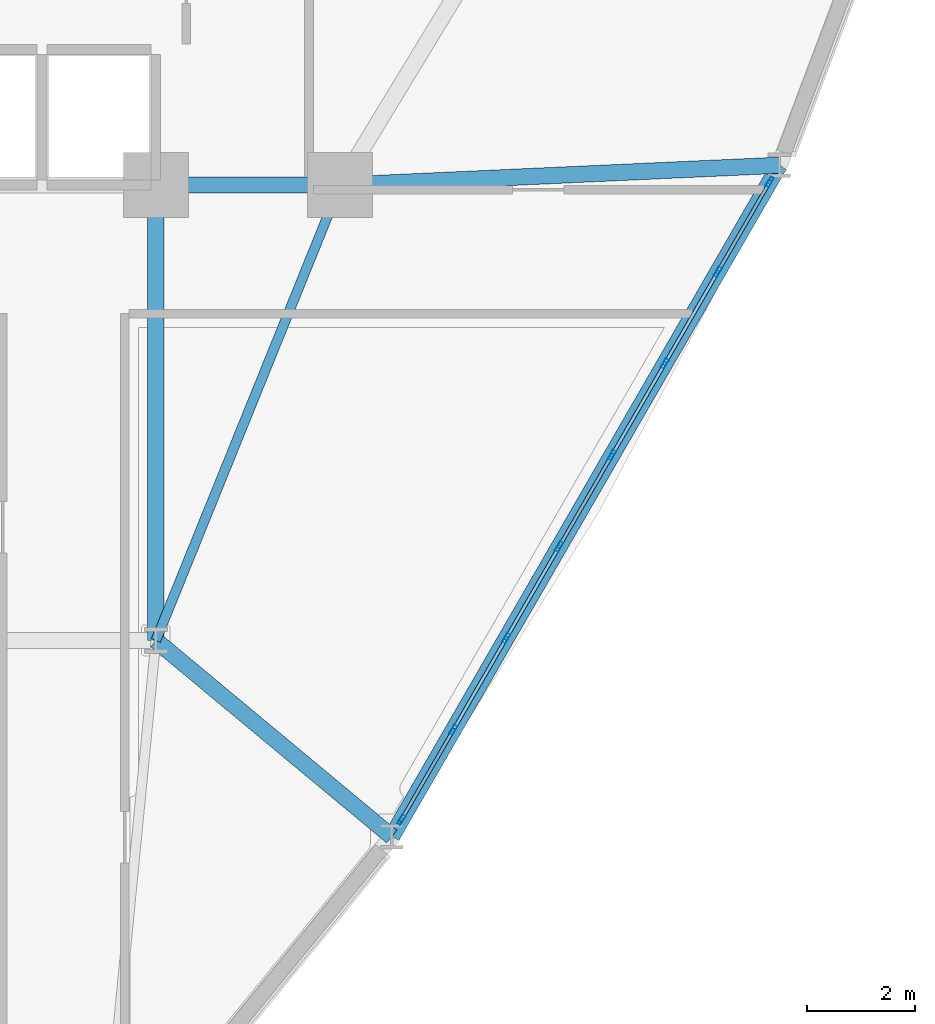
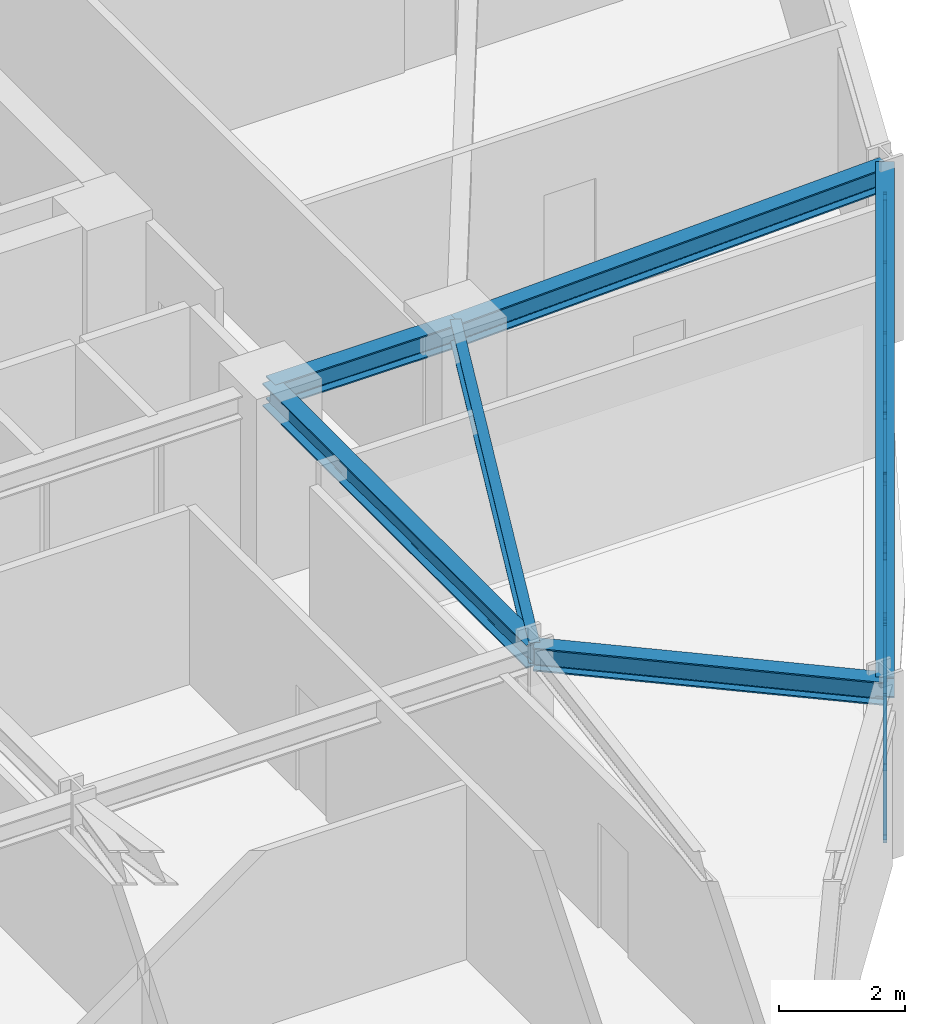
# One storey, part 6 of 17: 25 members, 6 beams, 1 element without a shape of its own.
"""IFC4 building model written with IfcOpenShell, lengths in metres."""

from ifc_helpers import new_model, si_unit, derived_unit, direction, frame, origin, origin_2d, place, context, subcontext, project, spatial, hollow_rectangle, i_section, extrude, source, transform, mapped, material, layer, layer_set, material_profile, profile_set, type_object, element, aggregate, save


model = new_model("IFC4")

# Units and contexts
model_context = context("Model", 3, precision=1e-05, world=origin(), true_north=direction((0.0, 1.0)))
body_context = subcontext(model_context, "Body", "Model", "MODEL_VIEW")
ifc_project = project(units=[si_unit("LENGTHUNIT", "METRE"), si_unit("AREAUNIT", "SQUARE_METRE"), si_unit("VOLUMEUNIT", "CUBIC_METRE"), si_unit("PLANEANGLEUNIT", "RADIAN"), si_unit("MASSUNIT", "GRAM", prefix="KILO"), derived_unit("THERMALTRANSMITTANCEUNIT", [(si_unit("POWERUNIT", "WATT"), 1), (si_unit("LENGTHUNIT", "METRE"), -2), (si_unit("THERMODYNAMICTEMPERATUREUNIT", "KELVIN"), -1)])], contexts=[model_context])

# Site, building, storey
site_placement = place(None, origin())
site = spatial("IfcSite", under=ifc_project, at=site_placement, CompositionType="ELEMENT")
building_placement = place(site_placement, origin())
building = spatial("IfcBuilding", under=site, at=building_placement, Name="Korsvarv Bourse and Concert Hall", CompositionType="ELEMENT")
storey_placement = place(building_placement, frame((0.0, 0.0, 102.60009765625)))
storey = spatial("IfcBuildingStorey", under=building, at=storey_placement, Name="L25", CompositionType="ELEMENT", Elevation=102.60009765625)

# Beams
ifc_material_1 = material(Name="Steel S355", Category="steel")
ifc_material_profile_1 = material_profile(ifc_material_1, i_section(OverallWidth=0.179931640625, OverallDepth=0.39990234375, WebThickness=0.008544921875, FlangeThickness=0.013427734375, FilletRadius=0.02099609375, at=origin_2d()), Name="IPE 400")
ifc_profile_set_1 = profile_set([ifc_material_profile_1], Name="Steel S355")
beam_type_1 = type_object("IfcBeamType", Name="BM-IPE400", PredefinedType="JOIST", material=ifc_profile_set_1)
shared_shape_1 = source(origin(), body_context, "Body", "SweptSolid", [
    extrude(i_section(OverallWidth=0.179931640625, OverallDepth=0.39990234375, WebThickness=0.008544921875, FlangeThickness=0.013427734375, FilletRadius=0.02099609375, at=origin_2d()), origin(), (0.0, 0.0, 1.0), 9.06201171875),
])
beam_1_placement = place(storey_placement, frame((47.800048828125, 32.39990234375, 3.199951171875), z_axis=(-0.375210394783, -0.926939674222, 0.0), x_axis=(0.926939674222, -0.375210394783, 0.0)))
element("IfcBeam", 1, at=beam_1_placement, inside=storey, type_object=beam_type_1, Name="L25 beam J-05", PredefinedType="JOIST", context=body_context, shape_type="MappedRepresentation", body=[
    mapped(shared_shape_1, transform((0.0, 0.0, 0.0), scale=1.0)),
])
ifc_material_profile_2 = material_profile(ifc_material_1, i_section(OverallWidth=0.300048828125, OverallDepth=0.449951171875, WebThickness=0.013916015625, FlangeThickness=0.02587890625, FilletRadius=0.02099609375, at=origin_2d()), Name="HEB 450")
ifc_profile_set_2 = profile_set([ifc_material_profile_2], Name="Steel S355")
beam_type_2 = type_object("IfcBeamType", Name="BM-HEB450", PredefinedType="SPANDREL", material=ifc_profile_set_2)
shared_shape_2 = source(origin(), body_context, "Body", "SweptSolid", [
    extrude(i_section(OverallWidth=0.300048828125, OverallDepth=0.449951171875, WebThickness=0.013916015625, FlangeThickness=0.02587890625, FilletRadius=0.02099609375, at=origin_2d()), origin(), (0.0, 0.0, 1.0), 3.400146484375),
])
beam_2_placement = place(storey_placement, frame((44.39990234375, 32.39990234375, 3.1748046875), z_axis=(1.0, 0.0, 0.0), x_axis=(0.0, 1.0, 0.0)))
element("IfcBeam", 2, at=beam_2_placement, inside=storey, type_object=beam_type_2, Name="L25 beam B-08", PredefinedType="SPANDREL", context=body_context, shape_type="MappedRepresentation", body=[
    mapped(shared_shape_2, transform((0.0, 0.0, 0.0), scale=1.0)),
])
shared_shape_3 = source(origin(), body_context, "Body", "SweptSolid", [
    extrude(i_section(OverallWidth=0.300048828125, OverallDepth=0.449951171875, WebThickness=0.013916015625, FlangeThickness=0.02587890625, FilletRadius=0.02099609375, at=origin_2d()), origin(), (0.0, 0.0, 1.0), 8.39990234375),
])
beam_3_placement = place(storey_placement, frame((44.39990234375, 24.0, 3.1748046875), z_axis=(0.0, 1.0, 0.0), x_axis=(-1.0, 0.0, 0.0)))
element("IfcBeam", 3, at=beam_3_placement, inside=storey, type_object=beam_type_2, Name="L25 beam B-08", PredefinedType="SPANDREL", context=body_context, shape_type="MappedRepresentation", body=[
    mapped(shared_shape_3, transform((0.0, 0.0, 0.0), scale=1.0)),
])
ifc_material_profile_3 = material_profile(ifc_material_1, i_section(OverallWidth=0.300048828125, OverallDepth=0.39990234375, WebThickness=0.013427734375, FlangeThickness=0.02392578125, FilletRadius=0.02099609375, at=origin_2d()), Name="HEB 400")
ifc_profile_set_3 = profile_set([ifc_material_profile_3], Name="Steel S355")
beam_type_3 = type_object("IfcBeamType", Name="BM-HEB400", PredefinedType="SPANDREL", material=ifc_profile_set_3)
shared_shape_4 = source(origin(), body_context, "Body", "SweptSolid", [
    extrude(i_section(OverallWidth=0.300048828125, OverallDepth=0.39990234375, WebThickness=0.013427734375, FlangeThickness=0.02392578125, FilletRadius=0.02099609375, at=origin_2d()), origin(), (0.0, 0.0, 1.0), 14.298828125),
])
beam_4_placement = place(storey_placement, frame((48.751220703125, 20.3828125, 3.199951171875), z_axis=(0.500002778788, 0.866023799444, 0.0), x_axis=(-0.866023799444, 0.500002778788, 0.0)))
element("IfcBeam", 4, at=beam_4_placement, inside=storey, type_object=beam_type_3, Name="L25 beam B-09", PredefinedType="SPANDREL", context=body_context, shape_type="MappedRepresentation", body=[
    mapped(shared_shape_4, transform((0.0, 0.0, 0.0), scale=1.0)),
])
shared_shape_5 = source(origin(), body_context, "Body", "SweptSolid", [
    extrude(i_section(OverallWidth=0.300048828125, OverallDepth=0.449951171875, WebThickness=0.013916015625, FlangeThickness=0.02587890625, FilletRadius=0.02099609375, at=origin_2d()), origin(), (0.0, 0.0, 1.0), 8.10888671875),
])
beam_5_placement = place(storey_placement, frame((55.900634765625, 32.765869140625, 3.1748046875), z_axis=(-0.998981041914, -0.04513178366, 0.0), x_axis=(0.04513178366, -0.998981041914, 0.0)))
element("IfcBeam", 5, at=beam_5_placement, inside=storey, type_object=beam_type_2, Name="L25 beam B-08", PredefinedType="SPANDREL", context=body_context, shape_type="MappedRepresentation", body=[
    mapped(shared_shape_5, transform((0.0, 0.0, 0.0), scale=1.0)),
])
shared_shape_6 = source(origin(), body_context, "Body", "SweptSolid", [
    extrude(i_section(OverallWidth=0.300048828125, OverallDepth=0.449951171875, WebThickness=0.013916015625, FlangeThickness=0.02587890625, FilletRadius=0.02099609375, at=origin_2d()), origin(), (0.0, 0.0, 1.0), 5.658447265625),
])
beam_6_placement = place(storey_placement, frame((48.751220703125, 20.3828125, 3.1748046875), z_axis=(-0.768995227549, 0.639254518957, 0.0), x_axis=(-0.639254518957, -0.768995227549, 0.0)))
element("IfcBeam", 6, at=beam_6_placement, inside=storey, type_object=beam_type_2, Name="L25 beam B-08", PredefinedType="SPANDREL", context=body_context, shape_type="MappedRepresentation", body=[
    mapped(shared_shape_6, transform((0.0, 0.0, 0.0), scale=1.0)),
])

# Curtain wall, members
ifc_material_2 = material(Name="Anodised aluminium and triple low-E glazing", Category="glass")
ifc_layer = layer(ifc_material_2, 0.2099609375)
ifc_layer_set = layer_set([ifc_layer], Name="Anodised aluminium and triple low-E glazing")
curtain_wall_type = type_object("IfcCurtainWallType", Name="CW-SYS-2", PredefinedType="NOTDEFINED", material=ifc_layer_set)
curtain_wall_placement = place(storey_placement, origin())
curtain_wall = element("IfcCurtainWall", 7, at=curtain_wall_placement, inside=storey, type_object=curtain_wall_type, Name="L25 CW2 curtain wall CW-L25-F11", PredefinedType="NOTDEFINED")
ifc_material_3 = material(Name="Extruded aluminium EN AW-6063 T66", Category="aluminium")
ifc_material_profile_4 = material_profile(ifc_material_3, hollow_rectangle(XDim=0.070068359375, YDim=0.18994140625, WallThickness=0.0048828125, at=origin_2d()), Name="ALU-M 70x190")
ifc_profile_set_4 = profile_set([ifc_material_profile_4], Name="Extruded aluminium EN AW-6063 T66")
member_type_1 = type_object("IfcMemberType", Name="CWM-190", PredefinedType="MULLION", material=ifc_profile_set_4)
shared_shape_7 = source(origin(), body_context, "Body", "SweptSolid", [
    extrude(hollow_rectangle(XDim=0.070068359375, YDim=0.18994140625, WallThickness=0.0048828125, at=origin_2d()), origin(), (0.0, 0.0, 1.0), 3.0),
])
member_1_placement = place(storey_placement, frame((48.928955078125, 20.6904296875, 0.0), z_axis=(0.0, 0.0, 1.0), x_axis=(-0.866024031595, 0.500002376695, 0.0)))
member_1 = element("IfcMember", 8, at=member_1_placement, type_object=member_type_1, Name="CW2 mullion 1", PredefinedType="MULLION", context=body_context, shape_type="MappedRepresentation", body=[
    mapped(shared_shape_7, transform((0.0, 0.0, 0.0), scale=1.0)),
])
member_2_placement = place(storey_placement, frame((49.886962890625, 22.349853515625, 0.0), z_axis=(0.0, 0.0, 1.0), x_axis=(-0.866024031595, 0.500002376695, 0.0)))
member_2 = element("IfcMember", 9, at=member_2_placement, type_object=member_type_1, Name="CW2 mullion 2", PredefinedType="MULLION", context=body_context, shape_type="MappedRepresentation", body=[
    mapped(shared_shape_7, transform((0.0, 0.0, 0.0), scale=1.0)),
])
member_3_placement = place(storey_placement, frame((50.862548828125, 24.03955078125, 0.0), z_axis=(0.0, 0.0, 1.0), x_axis=(-0.866024031595, 0.500002376695, 0.0)))
member_3 = element("IfcMember", 10, at=member_3_placement, type_object=member_type_1, Name="CW2 mullion 3", PredefinedType="MULLION", context=body_context, shape_type="MappedRepresentation", body=[
    mapped(shared_shape_7, transform((0.0, 0.0, 0.0), scale=1.0)),
])
member_4_placement = place(storey_placement, frame((51.838134765625, 25.7294921875, 0.0), z_axis=(0.0, 0.0, 1.0), x_axis=(-0.866024031595, 0.500002376695, 0.0)))
member_4 = element("IfcMember", 11, at=member_4_placement, type_object=member_type_1, Name="CW2 mullion 4", PredefinedType="MULLION", context=body_context, shape_type="MappedRepresentation", body=[
    mapped(shared_shape_7, transform((0.0, 0.0, 0.0), scale=1.0)),
])
member_5_placement = place(storey_placement, frame((52.813720703125, 27.419189453125, 0.0), z_axis=(0.0, 0.0, 1.0), x_axis=(-0.866024031595, 0.500002376695, 0.0)))
member_5 = element("IfcMember", 12, at=member_5_placement, type_object=member_type_1, Name="CW2 mullion 5", PredefinedType="MULLION", context=body_context, shape_type="MappedRepresentation", body=[
    mapped(shared_shape_7, transform((0.0, 0.0, 0.0), scale=1.0)),
])
member_6_placement = place(storey_placement, frame((53.789306640625, 29.10888671875, 0.0), z_axis=(0.0, 0.0, 1.0), x_axis=(-0.866024031595, 0.500002376695, 0.0)))
member_6 = element("IfcMember", 13, at=member_6_placement, type_object=member_type_1, Name="CW2 mullion 6", PredefinedType="MULLION", context=body_context, shape_type="MappedRepresentation", body=[
    mapped(shared_shape_7, transform((0.0, 0.0, 0.0), scale=1.0)),
])
member_7_placement = place(storey_placement, frame((54.764892578125, 30.798583984375, 0.0), z_axis=(0.0, 0.0, 1.0), x_axis=(-0.866024031595, 0.500002376695, 0.0)))
member_7 = element("IfcMember", 14, at=member_7_placement, type_object=member_type_1, Name="CW2 mullion 7", PredefinedType="MULLION", context=body_context, shape_type="MappedRepresentation", body=[
    mapped(shared_shape_7, transform((0.0, 0.0, 0.0), scale=1.0)),
])
member_8_placement = place(storey_placement, frame((55.722900390625, 32.4580078125, 0.0), z_axis=(0.0, 0.0, 1.0), x_axis=(-0.866024031595, 0.500002376695, 0.0)))
member_8 = element("IfcMember", 15, at=member_8_placement, type_object=member_type_1, Name="CW2 mullion 8", PredefinedType="MULLION", context=body_context, shape_type="MappedRepresentation", body=[
    mapped(shared_shape_7, transform((0.0, 0.0, 0.0), scale=1.0)),
])
ifc_material_profile_5 = material_profile(ifc_material_3, hollow_rectangle(XDim=0.06494140625, YDim=0.139892578125, WallThickness=0.00390625, at=origin_2d()), Name="ALU-T 65x140")
ifc_profile_set_5 = profile_set([ifc_material_profile_5], Name="Extruded aluminium EN AW-6063 T66")
member_type_2 = type_object("IfcMemberType", Name="CWT-140", PredefinedType="USERDEFINED", material=ifc_profile_set_5)
shared_shape_8 = source(origin(), body_context, "Body", "SweptSolid", [
    extrude(hollow_rectangle(XDim=0.06494140625, YDim=0.139892578125, WallThickness=0.00390625, at=origin_2d()), origin(), (0.0, 0.0, 1.0), 1.84619140625),
])
member_9_placement = place(storey_placement, frame((48.9462890625, 20.720703125, 0.032470703125), z_axis=(0.499993363642, 0.866029235253, 0.0), x_axis=(-0.866029235253, 0.499993363642, 0.0)))
member_9 = element("IfcMember", 16, at=member_9_placement, type_object=member_type_2, Name="CW2 transom 1.1", ObjectType="TRANSOM", PredefinedType="USERDEFINED", context=body_context, shape_type="MappedRepresentation", body=[
    mapped(shared_shape_8, transform((0.0, 0.0, 0.0), scale=1.0)),
])
member_10_placement = place(storey_placement, frame((48.9462890625, 20.720703125, 2.96728515625), z_axis=(0.499993363642, 0.866029235253, 0.0), x_axis=(-0.866029235253, 0.499993363642, 0.0)))
member_10 = element("IfcMember", 17, at=member_10_placement, type_object=member_type_2, Name="CW2 transom 1.2", ObjectType="TRANSOM", PredefinedType="USERDEFINED", context=body_context, shape_type="MappedRepresentation", body=[
    mapped(shared_shape_8, transform((0.0, 0.0, 0.0), scale=1.0)),
])
member_11_placement = place(storey_placement, frame((54.7822265625, 30.828857421875, 0.032470703125), z_axis=(0.499993363642, 0.866029235253, 0.0), x_axis=(-0.866029235253, 0.499993363642, 0.0)))
member_11 = element("IfcMember", 18, at=member_11_placement, type_object=member_type_2, Name="CW2 transom 7.1", ObjectType="TRANSOM", PredefinedType="USERDEFINED", context=body_context, shape_type="MappedRepresentation", body=[
    mapped(shared_shape_8, transform((0.0, 0.0, 0.0), scale=1.0)),
])
member_12_placement = place(storey_placement, frame((54.7822265625, 30.828857421875, 2.96728515625), z_axis=(0.499993363642, 0.866029235253, 0.0), x_axis=(-0.866029235253, 0.499993363642, 0.0)))
member_12 = element("IfcMember", 19, at=member_12_placement, type_object=member_type_2, Name="CW2 transom 7.2", ObjectType="TRANSOM", PredefinedType="USERDEFINED", context=body_context, shape_type="MappedRepresentation", body=[
    mapped(shared_shape_8, transform((0.0, 0.0, 0.0), scale=1.0)),
])
shared_shape_9 = source(origin(), body_context, "Body", "SweptSolid", [
    extrude(hollow_rectangle(XDim=0.06494140625, YDim=0.139892578125, WallThickness=0.00390625, at=origin_2d()), origin(), (0.0, 0.0, 1.0), 1.881103515625),
])
member_13_placement = place(storey_placement, frame((49.904541015625, 22.380126953125, 0.032470703125), z_axis=(0.4999359155, 0.866062399826, 0.0), x_axis=(-0.866062399826, 0.4999359155, 0.0)))
member_13 = element("IfcMember", 20, at=member_13_placement, type_object=member_type_2, Name="CW2 transom 2.1", ObjectType="TRANSOM", PredefinedType="USERDEFINED", context=body_context, shape_type="MappedRepresentation", body=[
    mapped(shared_shape_9, transform((0.0, 0.0, 0.0), scale=1.0)),
])
member_14_placement = place(storey_placement, frame((49.904541015625, 22.380126953125, 2.96728515625), z_axis=(0.4999359155, 0.866062399826, 0.0), x_axis=(-0.866062399826, 0.4999359155, 0.0)))
member_14 = element("IfcMember", 21, at=member_14_placement, type_object=member_type_2, Name="CW2 transom 2.2", ObjectType="TRANSOM", PredefinedType="USERDEFINED", context=body_context, shape_type="MappedRepresentation", body=[
    mapped(shared_shape_9, transform((0.0, 0.0, 0.0), scale=1.0)),
])
member_15_placement = place(storey_placement, frame((51.855712890625, 25.759765625, 0.032470703125), z_axis=(0.4999359155, 0.866062399826, 0.0), x_axis=(-0.866062399826, 0.4999359155, 0.0)))
member_15 = element("IfcMember", 22, at=member_15_placement, type_object=member_type_2, Name="CW2 transom 4.1", ObjectType="TRANSOM", PredefinedType="USERDEFINED", context=body_context, shape_type="MappedRepresentation", body=[
    mapped(shared_shape_9, transform((0.0, 0.0, 0.0), scale=1.0)),
])
member_16_placement = place(storey_placement, frame((51.855712890625, 25.759765625, 2.96728515625), z_axis=(0.4999359155, 0.866062399826, 0.0), x_axis=(-0.866062399826, 0.4999359155, 0.0)))
member_16 = element("IfcMember", 23, at=member_16_placement, type_object=member_type_2, Name="CW2 transom 4.2", ObjectType="TRANSOM", PredefinedType="USERDEFINED", context=body_context, shape_type="MappedRepresentation", body=[
    mapped(shared_shape_9, transform((0.0, 0.0, 0.0), scale=1.0)),
])
member_17_placement = place(storey_placement, frame((52.831298828125, 27.449462890625, 0.032470703125), z_axis=(0.4999359155, 0.866062399826, 0.0), x_axis=(-0.866062399826, 0.4999359155, 0.0)))
member_17 = element("IfcMember", 24, at=member_17_placement, type_object=member_type_2, Name="CW2 transom 5.1", ObjectType="TRANSOM", PredefinedType="USERDEFINED", context=body_context, shape_type="MappedRepresentation", body=[
    mapped(shared_shape_9, transform((0.0, 0.0, 0.0), scale=1.0)),
])
member_18_placement = place(storey_placement, frame((52.831298828125, 27.449462890625, 2.96728515625), z_axis=(0.4999359155, 0.866062399826, 0.0), x_axis=(-0.866062399826, 0.4999359155, 0.0)))
member_18 = element("IfcMember", 25, at=member_18_placement, type_object=member_type_2, Name="CW2 transom 5.2", ObjectType="TRANSOM", PredefinedType="USERDEFINED", context=body_context, shape_type="MappedRepresentation", body=[
    mapped(shared_shape_9, transform((0.0, 0.0, 0.0), scale=1.0)),
])
member_19_placement = place(storey_placement, frame((53.806640625, 29.13916015625, 0.032470703125), z_axis=(0.50003325389, 0.866006203791, 0.0), x_axis=(-0.866006203791, 0.50003325389, 0.0)))
member_19 = element("IfcMember", 26, at=member_19_placement, type_object=member_type_2, Name="CW2 transom 6.1", ObjectType="TRANSOM", PredefinedType="USERDEFINED", context=body_context, shape_type="MappedRepresentation", body=[
    mapped(shared_shape_9, transform((0.0, 0.0, 0.0), scale=1.0)),
])
member_20_placement = place(storey_placement, frame((53.806640625, 29.13916015625, 2.96728515625), z_axis=(0.50003325389, 0.866006203791, 0.0), x_axis=(-0.866006203791, 0.50003325389, 0.0)))
member_20 = element("IfcMember", 27, at=member_20_placement, type_object=member_type_2, Name="CW2 transom 6.2", ObjectType="TRANSOM", PredefinedType="USERDEFINED", context=body_context, shape_type="MappedRepresentation", body=[
    mapped(shared_shape_9, transform((0.0, 0.0, 0.0), scale=1.0)),
])
shared_shape_10 = source(origin(), body_context, "Body", "SweptSolid", [
    extrude(hollow_rectangle(XDim=0.06494140625, YDim=0.139892578125, WallThickness=0.00390625, at=origin_2d()), origin(), (0.0, 0.0, 1.0), 1.880859375),
])
member_21_placement = place(storey_placement, frame((50.880126953125, 24.070068359375, 0.032470703125), z_axis=(0.499992114976, 0.866029956157, 0.0), x_axis=(-0.866029956157, 0.499992114976, 0.0)))
member_21 = element("IfcMember", 28, at=member_21_placement, type_object=member_type_2, Name="CW2 transom 3.1", ObjectType="TRANSOM", PredefinedType="USERDEFINED", context=body_context, shape_type="MappedRepresentation", body=[
    mapped(shared_shape_10, transform((0.0, 0.0, 0.0), scale=1.0)),
])
member_22_placement = place(storey_placement, frame((50.880126953125, 24.070068359375, 2.96728515625), z_axis=(0.499992114976, 0.866029956157, 0.0), x_axis=(-0.866029956157, 0.499992114976, 0.0)))
member_22 = element("IfcMember", 29, at=member_22_placement, type_object=member_type_2, Name="CW2 transom 3.2", ObjectType="TRANSOM", PredefinedType="USERDEFINED", context=body_context, shape_type="MappedRepresentation", body=[
    mapped(shared_shape_10, transform((0.0, 0.0, 0.0), scale=1.0)),
])
ifc_material_profile_6 = material_profile(ifc_material_3, hollow_rectangle(XDim=0.06494140625, YDim=0.1650390625, WallThickness=0.0048828125, at=origin_2d()), Name="ALU-M 65x165")
ifc_profile_set_6 = profile_set([ifc_material_profile_6], Name="Extruded aluminium EN AW-6063 T66")
member_type_3 = type_object("IfcMemberType", Name="CWM-165", PredefinedType="MULLION", material=ifc_profile_set_6)
shared_shape_11 = source(origin(), body_context, "Body", "SweptSolid", [
    extrude(hollow_rectangle(XDim=0.06494140625, YDim=0.1650390625, WallThickness=0.0048828125, at=origin_2d()), origin(), (0.0, 0.0, 1.0), 3.412353515625),
])
member_23_placement = place(storey_placement, frame((48.9462890625, 20.720703125, 0.06494140625), z_axis=(0.270509714708, 0.468544861576, 0.841005473787), x_axis=(-0.866029235253, 0.499993363642, 0.0)))
member_23 = element("IfcMember", 30, at=member_23_placement, type_object=member_type_3, Name="CW2 diagonal mullion 1", PredefinedType="MULLION", context=body_context, shape_type="MappedRepresentation", body=[
    mapped(shared_shape_11, transform((0.0, 0.0, 0.0), scale=1.0)),
])
member_24_placement = place(storey_placement, frame((54.7822265625, 30.828857421875, 0.06494140625), z_axis=(0.270509714708, 0.468544861576, 0.841005473787), x_axis=(-0.866029235253, 0.499993363642, 0.0)))
member_24 = element("IfcMember", 31, at=member_24_placement, type_object=member_type_3, Name="CW2 diagonal mullion 7", PredefinedType="MULLION", context=body_context, shape_type="MappedRepresentation", body=[
    mapped(shared_shape_11, transform((0.0, 0.0, 0.0), scale=1.0)),
])
shared_shape_12 = source(origin(), body_context, "Body", "SweptSolid", [
    extrude(hollow_rectangle(XDim=0.06494140625, YDim=0.1650390625, WallThickness=0.0048828125, at=origin_2d()), origin(), (0.0, 0.0, 1.0), 3.431396484375),
])
member_25_placement = place(storey_placement, frame((52.796142578125, 27.388916015625, 0.06494140625), z_axis=(-0.274063509759, -0.47477305312, 0.836349054313), x_axis=(0.866062399826, -0.4999359155, 0.0)))
member_25 = element("IfcMember", 32, at=member_25_placement, type_object=member_type_3, Name="CW2 diagonal mullion 4", PredefinedType="MULLION", context=body_context, shape_type="MappedRepresentation", body=[
    mapped(shared_shape_12, transform((0.0, 0.0, 0.0), scale=1.0)),
])
aggregate(curtain_wall, [member_1, member_2, member_3, member_4, member_5, member_6, member_7, member_8, member_9, member_10, member_23, member_13, member_14, member_21, member_22, member_15, member_16, member_25, member_17, member_18, member_19, member_20, member_11, member_12, member_24])

save(model, "model.ifc")
